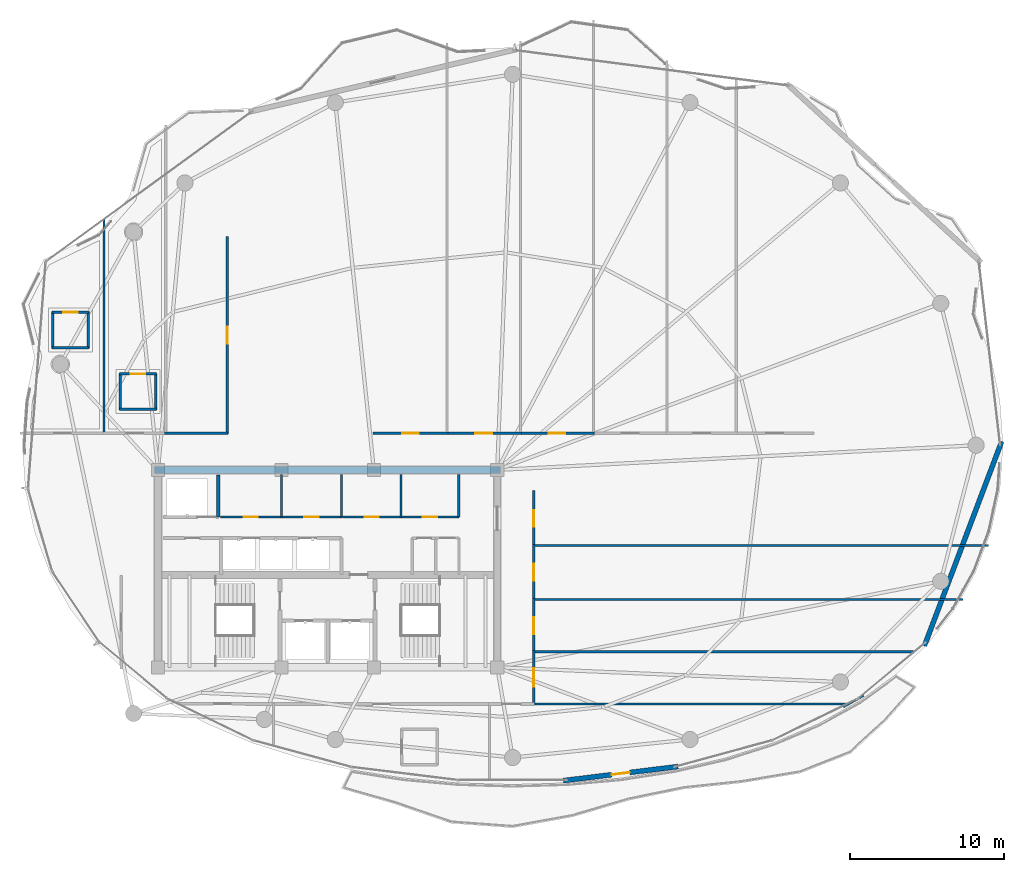
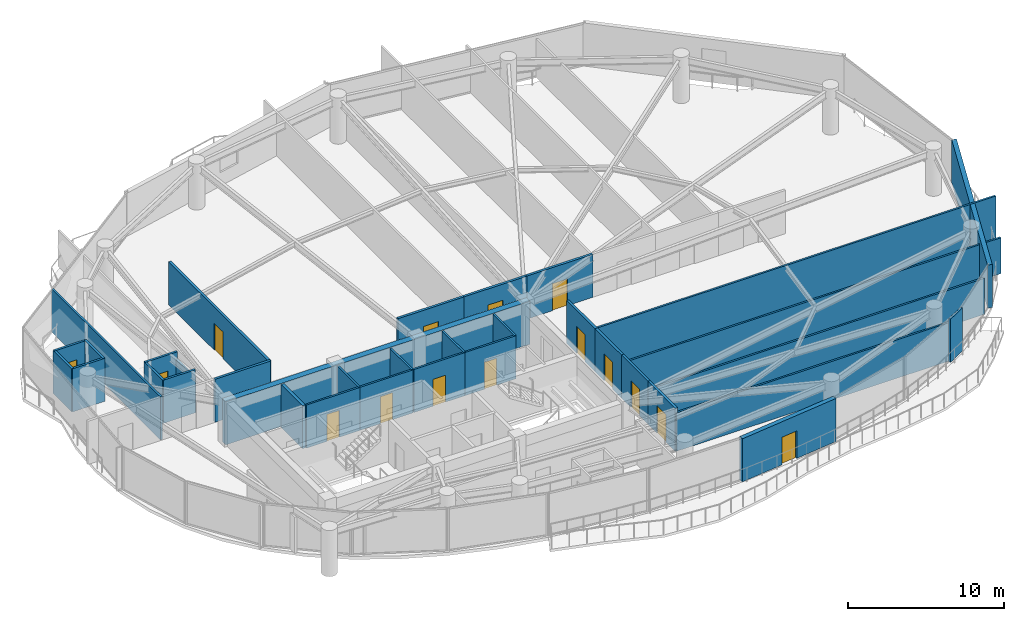
# One storey, part 26 of 31: 35 walls, 15 doors, 15 openings.
"""IFC4 building model written with IfcOpenShell, lengths in metres."""

from ifc_helpers import new_model, si_unit, direction, frame, frame_2d, origin, place, context, subcontext, project, spatial, rectangle, extrude, material, layer, layer_set, type_object, element, fill, save


model = new_model("IFC4")

# Units and contexts
model_context = context("Model", 3, precision=1e-05, world=origin(), true_north=direction((0.0, 1.0)))
body_context = subcontext(model_context, "Body", "Model", "MODEL_VIEW")
ifc_project = project(units=[si_unit("LENGTHUNIT", "METRE"), si_unit("AREAUNIT", "SQUARE_METRE"), si_unit("VOLUMEUNIT", "CUBIC_METRE"), si_unit("PLANEANGLEUNIT", "RADIAN"), si_unit("MASSUNIT", "GRAM", prefix="KILO")], contexts=[model_context])

# Site, building, storey
site_placement = place(None, origin())
site = spatial("IfcSite", under=ifc_project, at=site_placement, CompositionType="ELEMENT")
building_placement = place(site_placement, origin())
building = spatial("IfcBuilding", under=site, at=building_placement, Name="Kazevale Care Tower and Concert Hall", CompositionType="ELEMENT")
storey_placement = place(building_placement, frame((0.0, 0.0, 206.39990234375)))
storey = spatial("IfcBuildingStorey", under=building, at=storey_placement, Name="L54", CompositionType="ELEMENT", Elevation=206.39990234375)

# Wall, opening, door
ifc_material_1 = material(Name="Acoustic Gypsum on Steel Stud", Category="steel")
ifc_layer_1 = layer(ifc_material_1, 0.139892578125)
ifc_layer_set_1 = layer_set([ifc_layer_1], Name="Acoustic Gypsum on Steel Stud")
wall_type_1 = type_object("IfcWallType", Name="Acoustic Care & Suite Partition 140", PredefinedType="PARTITIONING", material=ifc_layer_set_1)
wall_1_placement = place(storey_placement, frame((26.050048828125, 33.35009765625, 0.0), z_axis=(0.0, 0.0, 1.0), x_axis=(1.0, 0.0, 0.0)))
wall_1 = element("IfcWall", 1, at=wall_1_placement, inside=storey, type_object=wall_type_1, Name="wall:L54:c_rpl1_s", PredefinedType="PARTITIONING", context=body_context, shape_type="SweptSolid", body=[
    extrude(rectangle(XDim=3.949951171875, YDim=0.139892578125, at=frame_2d((1.97509765625, 0.0))), origin(), (0.0, 0.0, 1.0), 3.360107421875),
])
opening_1_placement = place(wall_1_placement, frame((1.514892578125, 0.0, 0.0)))
opening_1 = element("IfcOpeningElement", 2, at=opening_1_placement, cuts=wall_1, Name="Opening ID-900", PredefinedType="OPENING", context=body_context, shape_type="SweptSolid", body=[
    extrude(rectangle(XDim=0.919921875, YDim=2.10009765625, at=frame_2d((0.4599609375, 1.050048828125))), frame((0.0, 0.079833984375, 0.0), z_axis=(0.0, -1.0, 0.0), x_axis=(1.0, 0.0, 0.0)), (0.0, 0.0, 1.0), 0.159912109375),
])
ifc_material_2 = material(Name="Oak Timber Fire Leaf", Category="wood")
door_type_1 = type_object("IfcDoorType", Name="Bathroom & Service Door 920x2100", OperationType="NOTDEFINED", PredefinedType="DOOR", material=ifc_material_2)
door_1_placement = place(opening_1_placement, origin())
door_1 = element("IfcDoor", 3, at=door_1_placement, inside=storey, type_object=door_type_1, Name="door:L54:d_rpl1", OperationType="SINGLE_SWING_LEFT", OverallHeight=2.10009765625, OverallWidth=0.919921875, PredefinedType="DOOR", context=body_context, shape_type="SweptSolid", body=[
    extrude(rectangle(XDim=0.919921875, YDim=2.10009765625, at=frame_2d((0.4599609375, 1.050048828125))), frame((0.0, 0.02490234375, 0.0), z_axis=(0.0, -1.0, 0.0), x_axis=(1.0, 0.0, 0.0)), (0.0, 0.0, 1.0), 0.050048828125),
])
fill(opening_1, door_1)

wall_2_placement = place(storey_placement, frame((30.0, 33.35009765625, 0.0), z_axis=(0.0, 0.0, 1.0), x_axis=(1.0, 0.0, 0.0)))
wall_2 = element("IfcWall", 4, at=wall_2_placement, inside=storey, type_object=wall_type_1, Name="wall:L54:c_rpl2_s", PredefinedType="PARTITIONING", context=body_context, shape_type="SweptSolid", body=[
    extrude(rectangle(XDim=3.919921875, YDim=0.139892578125, at=frame_2d((1.9599609375, 0.0))), origin(), (0.0, 0.0, 1.0), 3.360107421875),
])
opening_2_placement = place(wall_2_placement, frame((1.5, 0.0, 0.0)))
opening_2 = element("IfcOpeningElement", 5, at=opening_2_placement, cuts=wall_2, Name="Opening ID-900", PredefinedType="OPENING", context=body_context, shape_type="SweptSolid", body=[
    extrude(rectangle(XDim=0.919921875, YDim=2.10009765625, at=frame_2d((0.4599609375, 1.050048828125))), frame((0.0, 0.079833984375, 0.0), z_axis=(0.0, -1.0, 0.0), x_axis=(1.0, 0.0, 0.0)), (0.0, 0.0, 1.0), 0.159912109375),
])
door_2_placement = place(opening_2_placement, origin())
door_2 = element("IfcDoor", 6, at=door_2_placement, inside=storey, type_object=door_type_1, Name="door:L54:d_rpl2", OperationType="SINGLE_SWING_RIGHT", OverallHeight=2.10009765625, OverallWidth=0.919921875, PredefinedType="DOOR", context=body_context, shape_type="SweptSolid", body=[
    extrude(rectangle(XDim=0.919921875, YDim=2.10009765625, at=frame_2d((0.4599609375, 1.050048828125))), frame((0.0, 0.02490234375, 0.0), z_axis=(0.0, -1.0, 0.0), x_axis=(1.0, 0.0, 0.0)), (0.0, 0.0, 1.0), 0.050048828125),
])
fill(opening_2, door_2)

# Walls
for number, where, z_axis, x_axis, name in (
    (7, (30.0, 33.35009765625, 0.0), (0.0, 0.0, 1.0), (0.0, 1.0, 0.0), "wall:L54:c_rpl_m"),
    (8, (33.89990234375, 33.35009765625, 0.0), (0.0, 0.0, 1.0), (0.0, 1.0, 0.0), "wall:L54:c_rpl_e"),
):
    element("IfcWall", number, at=place(storey_placement, frame(where, z_axis=z_axis, x_axis=x_axis)), inside=storey, type_object=wall_type_1, Name=name, PredefinedType="PARTITIONING", context=body_context, shape_type="SweptSolid", body=[
        extrude(rectangle(XDim=2.75, YDim=0.139892578125, at=frame_2d((1.375, 0.0))), origin(), (0.0, 0.0, 1.0), 3.360107421875),
    ])

# Wall, opening, door
wall_3_placement = place(storey_placement, frame((33.97998046875, 33.35009765625, 0.0), z_axis=(0.0, 0.0, 1.0), x_axis=(1.0, 0.0, 0.0)))
wall_3 = element("IfcWall", 9, at=wall_3_placement, inside=storey, type_object=wall_type_1, Name="wall:L54:c_rpm1_s", PredefinedType="PARTITIONING", context=body_context, shape_type="SweptSolid", body=[
    extrude(rectangle(XDim=3.77001953125, YDim=0.139892578125, at=frame_2d((1.885009765625, 0.0))), origin(), (0.0, 0.0, 1.0), 3.360107421875),
])
opening_3_placement = place(wall_3_placement, frame((1.425048828125, 0.0, 0.0)))
opening_3 = element("IfcOpeningElement", 10, at=opening_3_placement, cuts=wall_3, Name="Opening ID-900", PredefinedType="OPENING", context=body_context, shape_type="SweptSolid", body=[
    extrude(rectangle(XDim=0.919921875, YDim=2.10009765625, at=frame_2d((0.4599609375, 1.050048828125))), frame((0.0, 0.079833984375, 0.0), z_axis=(0.0, -1.0, 0.0), x_axis=(1.0, 0.0, 0.0)), (0.0, 0.0, 1.0), 0.159912109375),
])
door_3_placement = place(opening_3_placement, origin())
door_3 = element("IfcDoor", 11, at=door_3_placement, inside=storey, type_object=door_type_1, Name="door:L54:d_rpm1", OperationType="SINGLE_SWING_LEFT", OverallHeight=2.10009765625, OverallWidth=0.919921875, PredefinedType="DOOR", context=body_context, shape_type="SweptSolid", body=[
    extrude(rectangle(XDim=0.919921875, YDim=2.10009765625, at=frame_2d((0.4599609375, 1.050048828125))), frame((0.0, 0.02490234375, 0.0), z_axis=(0.0, -1.0, 0.0), x_axis=(1.0, 0.0, 0.0)), (0.0, 0.0, 1.0), 0.050048828125),
])
fill(opening_3, door_3)

wall_4_placement = place(storey_placement, frame((37.75, 33.35009765625, 0.0), z_axis=(0.0, 0.0, 1.0), x_axis=(1.0, 0.0, 0.0)))
wall_4 = element("IfcWall", 12, at=wall_4_placement, inside=storey, type_object=wall_type_1, Name="wall:L54:c_rpm2_s", PredefinedType="PARTITIONING", context=body_context, shape_type="SweptSolid", body=[
    extrude(rectangle(XDim=3.77001953125, YDim=0.139892578125, at=frame_2d((1.885009765625, 0.0))), origin(), (0.0, 0.0, 1.0), 3.360107421875),
])
opening_4_placement = place(wall_4_placement, frame((1.425048828125, 0.0, 0.0)))
opening_4 = element("IfcOpeningElement", 13, at=opening_4_placement, cuts=wall_4, Name="Opening ID-900", PredefinedType="OPENING", context=body_context, shape_type="SweptSolid", body=[
    extrude(rectangle(XDim=0.919921875, YDim=2.10009765625, at=frame_2d((0.4599609375, 1.050048828125))), frame((0.0, 0.079833984375, 0.0), z_axis=(0.0, -1.0, 0.0), x_axis=(1.0, 0.0, 0.0)), (0.0, 0.0, 1.0), 0.159912109375),
])
door_4_placement = place(opening_4_placement, origin())
door_4 = element("IfcDoor", 14, at=door_4_placement, inside=storey, type_object=door_type_1, Name="door:L54:d_rpm2", OperationType="SINGLE_SWING_RIGHT", OverallHeight=2.10009765625, OverallWidth=0.919921875, PredefinedType="DOOR", context=body_context, shape_type="SweptSolid", body=[
    extrude(rectangle(XDim=0.919921875, YDim=2.10009765625, at=frame_2d((0.4599609375, 1.050048828125))), frame((0.0, 0.02490234375, 0.0), z_axis=(0.0, -1.0, 0.0), x_axis=(1.0, 0.0, 0.0)), (0.0, 0.0, 1.0), 0.050048828125),
])
fill(opening_4, door_4)

# Walls
for number, where, z_axis, x_axis, name in (
    (15, (37.75, 33.35009765625, 0.0), (0.0, 0.0, 1.0), (0.0, 1.0, 0.0), "wall:L54:c_rpm_m"),
    (16, (41.5, 33.35009765625, 0.0), (0.0, 0.0, 1.0), (0.0, 1.0, 0.0), "wall:L54:c_rpm_e"),
):
    element("IfcWall", number, at=place(storey_placement, frame(where, z_axis=z_axis, x_axis=x_axis)), inside=storey, type_object=wall_type_1, Name=name, PredefinedType="PARTITIONING", context=body_context, shape_type="SweptSolid", body=[
        extrude(rectangle(XDim=2.75, YDim=0.139892578125, at=frame_2d((1.375, 0.0))), origin(), (0.0, 0.0, 1.0), 3.360107421875),
    ])
wall_5_placement = place(storey_placement, frame((18.5, 52.64501953125, 0.0), z_axis=(0.0, 0.0, 1.0), x_axis=(0.0, -1.0, 0.0)))
element("IfcWall", 17, at=wall_5_placement, inside=storey, type_object=wall_type_1, Name="wall:L54:auto_019", PredefinedType="PARTITIONING", context=body_context, shape_type="SweptSolid", body=[
    extrude(rectangle(XDim=13.89990234375, YDim=0.139892578125, at=frame_2d((6.949951171875, 0.0))), origin(), (0.0, 0.0, 1.0), 3.360107421875),
])
wall_6_placement = place(storey_placement, frame((46.344970703125, 24.610107421875, 0.0), z_axis=(0.0, 0.0, 1.0), x_axis=(1.0, 0.0, 0.0)))
element("IfcWall", 18, at=wall_6_placement, inside=storey, type_object=wall_type_1, Name="wall:L54:auto_026", PredefinedType="PARTITIONING", context=body_context, shape_type="SweptSolid", body=[
    extrude(rectangle(XDim=24.692626953125, YDim=0.139892578125, at=frame_2d((12.34619140625, 0.0))), origin(), (0.0, 0.0, 1.0), 2.80615234375),
])
wall_7_placement = place(storey_placement, frame((66.683837890625, 21.22509765625, 0.0), z_axis=(0.0, 0.0, 1.0), x_axis=(-1.0, 0.0, 0.0)))
element("IfcWall", 19, at=wall_7_placement, inside=storey, type_object=wall_type_1, Name="wall:L54:auto_027", PredefinedType="PARTITIONING", context=body_context, shape_type="SweptSolid", body=[
    extrude(rectangle(XDim=20.3388671875, YDim=0.139892578125, at=frame_2d((10.16943359375, 0.0))), origin(), (0.0, 0.0, 1.0), 2.99609375),
])
wall_8_placement = place(storey_placement, frame((67.748046875, 21.77001953125, 0.0), z_axis=(0.0, 0.0, 1.0), x_axis=(-0.871352238731, -0.490658003153, 0.0)))
element("IfcWall", 20, at=wall_8_placement, inside=storey, type_object=wall_type_1, Name="wall:L54:auto_028", PredefinedType="PARTITIONING", context=body_context, shape_type="SweptSolid", body=[
    extrude(rectangle(XDim=1.48974609375, YDim=0.139892578125, at=frame_2d((0.744873046875, 0.0))), origin(), (0.0, 0.0, 1.0), 3.360107421875),
])
wall_9_placement = place(storey_placement, frame((46.344970703125, 28.0, 0.0), z_axis=(0.0, 0.0, 1.0), x_axis=(1.0, 0.0, 0.0)))
element("IfcWall", 21, at=wall_9_placement, inside=storey, type_object=wall_type_1, Name="wall:L54:auto_029", PredefinedType="PARTITIONING", context=body_context, shape_type="SweptSolid", body=[
    extrude(rectangle(XDim=27.863037109375, YDim=0.139892578125, at=frame_2d((13.931640625, 0.0))), origin(), (0.0, 0.0, 1.0), 2.80615234375),
])
wall_10_placement = place(storey_placement, frame((46.344970703125, 31.5, 0.0), z_axis=(0.0, 0.0, 1.0), x_axis=(1.0, 0.0, 0.0)))
element("IfcWall", 22, at=wall_10_placement, inside=storey, type_object=wall_type_1, Name="wall:L54:auto_030", PredefinedType="PARTITIONING", context=body_context, shape_type="SweptSolid", body=[
    extrude(rectangle(XDim=29.52001953125, YDim=0.139892578125, at=frame_2d((14.760009765625, 0.0))), origin(), (0.0, 0.0, 1.0), 3.360107421875),
])
ifc_material_3 = material(Name="Concrete C50", Category="concrete")
ifc_layer_2 = layer(ifc_material_3, 0.449951171875)
ifc_layer_set_2 = layer_set([ifc_layer_2], Name="Concrete C50")
wall_type_2 = type_object("IfcWallType", Name="Core Shear Wall 450 C50", PredefinedType="SHEAR", material=ifc_layer_set_2)
wall_11_placement = place(storey_placement, frame((21.77490234375, 36.39990234375, 0.0), z_axis=(0.0, 0.0, 1.0), x_axis=(1.0, 0.0, 0.0)))
element("IfcWall", 23, at=wall_11_placement, inside=storey, type_object=wall_type_2, Name="wall:L54:core:N", PredefinedType="SHEAR", context=body_context, shape_type="SweptSolid", body=[
    extrude(rectangle(XDim=22.4501953125, YDim=0.449951171875, at=frame_2d((11.22509765625, 0.0))), origin(), (0.0, 0.0, 1.0), 3.360107421875),
])
ifc_material_4 = material(Name="Concrete C40", Category="concrete")
ifc_layer_3 = layer(ifc_material_4, 0.219970703125)
ifc_layer_set_3 = layer_set([ifc_layer_3], Name="Concrete C40")
wall_type_3 = type_object("IfcWallType", Name="Elevator Hoistway Shaft Wall 220", PredefinedType="SOLIDWALL", material=ifc_layer_set_3)
wall_12_placement = place(storey_placement, frame((25.919921875, 33.35009765625, 0.0), z_axis=(0.0, 0.0, 1.0), x_axis=(0.0, 1.0, 0.0)))
element("IfcWall", 24, at=wall_12_placement, inside=storey, type_object=wall_type_3, Name="wall:L54:c_svl_e", PredefinedType="SOLIDWALL", context=body_context, shape_type="SweptSolid", body=[
    extrude(rectangle(XDim=2.72998046875, YDim=0.219970703125, at=frame_2d((1.364990234375, 0.0))), origin(), (0.0, 0.0, 1.0), 3.360107421875),
])

# Wall, opening, door
ifc_material_5 = material(Name="Concrete C40 and Acoustic Gypsum", Category="concrete")
ifc_layer_4 = layer(ifc_material_5, 0.179931640625)
ifc_layer_set_4 = layer_set([ifc_layer_4], Name="Concrete C40 and Acoustic Gypsum")
wall_type_4 = type_object("IfcWallType", Name="Fire-Rated Corridor & Party Wall 180", PredefinedType="PARTITIONING", material=ifc_layer_set_4)
wall_13_placement = place(storey_placement, frame((26.5, 38.7451171875, 0.0), z_axis=(0.0, 0.0, 1.0), x_axis=(0.0, 1.0, 0.0)))
wall_13 = element("IfcWall", 25, at=wall_13_placement, inside=storey, type_object=wall_type_4, Name="wall:L54:auto_003", PredefinedType="PARTITIONING", context=body_context, shape_type="SweptSolid", body=[
    extrude(rectangle(XDim=12.784912109375, YDim=0.179931640625, at=frame_2d((6.392578125, 0.0))), origin(), (0.0, 0.0, 1.0), 3.360107421875),
])
opening_5_placement = place(wall_13_placement, frame((5.843017578125, 0.0, 0.0)))
opening_5 = element("IfcOpeningElement", 26, at=opening_5_placement, cuts=wall_13, Name="Opening ID-1100", PredefinedType="OPENING", context=body_context, shape_type="SweptSolid", body=[
    extrude(rectangle(XDim=1.10009765625, YDim=2.10009765625, at=frame_2d((0.550048828125, 1.050048828125))), frame((0.0, 0.099853515625, 0.0), z_axis=(0.0, -1.0, 0.0), x_axis=(1.0, 0.0, 0.0)), (0.0, 0.0, 1.0), 0.199951171875),
])
door_type_2 = type_object("IfcDoorType", Name="Care Bedroom Accessible Door 1100x2100", OperationType="NOTDEFINED", PredefinedType="DOOR", material=ifc_material_2)
door_5_placement = place(opening_5_placement, origin())
door_5 = element("IfcDoor", 27, at=door_5_placement, inside=storey, type_object=door_type_2, Name="door:L54:ad_003", OperationType="SINGLE_SWING_LEFT", OverallHeight=2.10009765625, OverallWidth=1.10009765625, PredefinedType="DOOR", context=body_context, shape_type="SweptSolid", body=[
    extrude(rectangle(XDim=1.10009765625, YDim=2.10009765625, at=frame_2d((0.550048828125, 1.050048828125))), frame((0.0, 0.02490234375, 0.0), z_axis=(0.0, -1.0, 0.0), x_axis=(1.0, 0.0, 0.0)), (0.0, 0.0, 1.0), 0.050048828125),
])
fill(opening_5, door_5)

# Wall
wall_14_placement = place(storey_placement, frame((22.43505859375, 38.77490234375, 0.0), z_axis=(0.0, 0.0, 1.0), x_axis=(1.0, 0.0, 0.0)))
element("IfcWall", 28, at=wall_14_placement, inside=storey, type_object=wall_type_4, Name="wall:L54:auto_004", PredefinedType="PARTITIONING", context=body_context, shape_type="SweptSolid", body=[
    extrude(rectangle(XDim=4.094970703125, YDim=0.179931640625, at=frame_2d((2.04736328125, 0.0))), origin(), (0.0, 0.0, 1.0), 3.360107421875),
])

# Wall, opening, door
wall_15_placement = place(storey_placement, frame((35.93505859375, 38.77490234375, 0.0), z_axis=(0.0, 0.0, 1.0), x_axis=(1.0, 0.0, 0.0)))
wall_15 = element("IfcWall", 29, at=wall_15_placement, inside=storey, type_object=wall_type_4, Name="wall:L54:auto_005", PredefinedType="PARTITIONING", context=body_context, shape_type="SweptSolid", body=[
    extrude(rectangle(XDim=4.8798828125, YDim=0.179931640625, at=frame_2d((2.43994140625, 0.0))), origin(), (0.0, 0.0, 1.0), 3.360107421875),
])
opening_6_placement = place(wall_15_placement, frame((1.889892578125, 0.0, 0.0)))
opening_6 = element("IfcOpeningElement", 30, at=opening_6_placement, cuts=wall_15, Name="Opening ID-1100", PredefinedType="OPENING", context=body_context, shape_type="SweptSolid", body=[
    extrude(rectangle(XDim=1.10009765625, YDim=2.10009765625, at=frame_2d((0.550048828125, 1.050048828125))), frame((0.0, 0.099853515625, 0.0), z_axis=(0.0, -1.0, 0.0), x_axis=(1.0, 0.0, 0.0)), (0.0, 0.0, 1.0), 0.199951171875),
])
door_6_placement = place(opening_6_placement, origin())
door_6 = element("IfcDoor", 31, at=door_6_placement, inside=storey, type_object=door_type_2, Name="door:L54:ad_005", OperationType="SINGLE_SWING_LEFT", OverallHeight=2.10009765625, OverallWidth=1.10009765625, PredefinedType="DOOR", context=body_context, shape_type="SweptSolid", body=[
    extrude(rectangle(XDim=1.10009765625, YDim=2.10009765625, at=frame_2d((0.550048828125, 1.050048828125))), frame((0.0, 0.02490234375, 0.0), z_axis=(0.0, -1.0, 0.0), x_axis=(1.0, 0.0, 0.0)), (0.0, 0.0, 1.0), 0.050048828125),
])
fill(opening_6, door_6)

wall_16_placement = place(storey_placement, frame((40.68505859375, 38.77490234375, 0.0), z_axis=(0.0, 0.0, 1.0), x_axis=(1.0, 0.0, 0.0)))
wall_16 = element("IfcWall", 32, at=wall_16_placement, inside=storey, type_object=wall_type_4, Name="wall:L54:auto_006", PredefinedType="PARTITIONING", context=body_context, shape_type="SweptSolid", body=[
    extrude(rectangle(XDim=4.8798828125, YDim=0.179931640625, at=frame_2d((2.43994140625, 0.0))), origin(), (0.0, 0.0, 1.0), 3.360107421875),
])
opening_7_placement = place(wall_16_placement, frame((1.889892578125, 0.0, 0.0)))
opening_7 = element("IfcOpeningElement", 33, at=opening_7_placement, cuts=wall_16, Name="Opening ID-1100", PredefinedType="OPENING", context=body_context, shape_type="SweptSolid", body=[
    extrude(rectangle(XDim=1.10009765625, YDim=2.10009765625, at=frame_2d((0.550048828125, 1.050048828125))), frame((0.0, 0.099853515625, 0.0), z_axis=(0.0, -1.0, 0.0), x_axis=(1.0, 0.0, 0.0)), (0.0, 0.0, 1.0), 0.199951171875),
])
door_7_placement = place(opening_7_placement, origin())
door_7 = element("IfcDoor", 34, at=door_7_placement, inside=storey, type_object=door_type_2, Name="door:L54:ad_006", OperationType="SINGLE_SWING_LEFT", OverallHeight=2.10009765625, OverallWidth=1.10009765625, PredefinedType="DOOR", context=body_context, shape_type="SweptSolid", body=[
    extrude(rectangle(XDim=1.10009765625, YDim=2.10009765625, at=frame_2d((0.550048828125, 1.050048828125))), frame((0.0, 0.02490234375, 0.0), z_axis=(0.0, -1.0, 0.0), x_axis=(1.0, 0.0, 0.0)), (0.0, 0.0, 1.0), 0.050048828125),
])
fill(opening_7, door_7)

wall_17_placement = place(storey_placement, frame((45.43505859375, 38.77490234375, 0.0), z_axis=(0.0, 0.0, 1.0), x_axis=(1.0, 0.0, 0.0)))
wall_17 = element("IfcWall", 35, at=wall_17_placement, inside=storey, type_object=wall_type_4, Name="wall:L54:auto_007", PredefinedType="PARTITIONING", context=body_context, shape_type="SweptSolid", body=[
    extrude(rectangle(XDim=4.8798828125, YDim=0.179931640625, at=frame_2d((2.43994140625, 0.0))), origin(), (0.0, 0.0, 1.0), 3.360107421875),
])
opening_8_placement = place(wall_17_placement, frame((1.889892578125, 0.0, 0.0)))
opening_8 = element("IfcOpeningElement", 36, at=opening_8_placement, cuts=wall_17, Name="Opening ID-1100", PredefinedType="OPENING", context=body_context, shape_type="SweptSolid", body=[
    extrude(rectangle(XDim=1.10009765625, YDim=2.10009765625, at=frame_2d((0.550048828125, 1.050048828125))), frame((0.0, 0.099853515625, 0.0), z_axis=(0.0, -1.0, 0.0), x_axis=(1.0, 0.0, 0.0)), (0.0, 0.0, 1.0), 0.199951171875),
])
door_8_placement = place(opening_8_placement, origin())
door_8 = element("IfcDoor", 37, at=door_8_placement, inside=storey, type_object=door_type_2, Name="door:L54:ad_007", OperationType="SINGLE_SWING_LEFT", OverallHeight=2.10009765625, OverallWidth=1.10009765625, PredefinedType="DOOR", context=body_context, shape_type="SweptSolid", body=[
    extrude(rectangle(XDim=1.10009765625, YDim=2.10009765625, at=frame_2d((0.550048828125, 1.050048828125))), frame((0.0, 0.02490234375, 0.0), z_axis=(0.0, -1.0, 0.0), x_axis=(1.0, 0.0, 0.0)), (0.0, 0.0, 1.0), 0.050048828125),
])
fill(opening_8, door_8)

wall_18_placement = place(storey_placement, frame((46.375, 24.675048828125, 0.0), z_axis=(0.0, 0.0, 1.0), x_axis=(0.0, -1.0, 0.0)))
wall_18 = element("IfcWall", 38, at=wall_18_placement, inside=storey, type_object=wall_type_4, Name="wall:L54:auto_011", PredefinedType="PARTITIONING", context=body_context, shape_type="SweptSolid", body=[
    extrude(rectangle(XDim=3.47998046875, YDim=0.179931640625, at=frame_2d((1.739990234375, 0.0))), origin(), (0.0, 0.0, 1.0), 3.360107421875),
])
opening_9_placement = place(wall_18_placement, frame((1.139892578125, 0.0, 0.0)))
opening_9 = element("IfcOpeningElement", 39, at=opening_9_placement, cuts=wall_18, Name="Opening ID-1200", PredefinedType="OPENING", context=body_context, shape_type="SweptSolid", body=[
    extrude(rectangle(XDim=1.199951171875, YDim=2.14990234375, at=frame_2d((0.60009765625, 1.074951171875))), frame((0.0, 0.099853515625, 0.0), z_axis=(0.0, -1.0, 0.0), x_axis=(1.0, 0.0, 0.0)), (0.0, 0.0, 1.0), 0.199951171875),
])
door_type_3 = type_object("IfcDoorType", Name="Clinical & Therapy Door 1200x2150", OperationType="NOTDEFINED", PredefinedType="DOOR", material=ifc_material_2)
door_9_placement = place(opening_9_placement, origin())
door_9 = element("IfcDoor", 40, at=door_9_placement, inside=storey, type_object=door_type_3, Name="door:L54:ad_011", OperationType="SINGLE_SWING_LEFT", OverallHeight=2.14990234375, OverallWidth=1.199951171875, PredefinedType="DOOR", context=body_context, shape_type="SweptSolid", body=[
    extrude(rectangle(XDim=1.199951171875, YDim=2.14990234375, at=frame_2d((0.60009765625, 1.074951171875))), frame((0.0, 0.02490234375, 0.0), z_axis=(0.0, -1.0, 0.0), x_axis=(1.0, 0.0, 0.0)), (0.0, 0.0, 1.0), 0.050048828125),
])
fill(opening_9, door_9)

wall_19_placement = place(storey_placement, frame((46.375, 28.06494140625, 0.0), z_axis=(0.0, 0.0, 1.0), x_axis=(0.0, -1.0, 0.0)))
wall_19 = element("IfcWall", 41, at=wall_19_placement, inside=storey, type_object=wall_type_4, Name="wall:L54:auto_012", PredefinedType="PARTITIONING", context=body_context, shape_type="SweptSolid", body=[
    extrude(rectangle(XDim=3.52001953125, YDim=0.179931640625, at=frame_2d((1.760009765625, 0.0))), origin(), (0.0, 0.0, 1.0), 3.360107421875),
])
opening_10_placement = place(wall_19_placement, frame((1.2099609375, 0.0, 0.0)))
opening_10 = element("IfcOpeningElement", 42, at=opening_10_placement, cuts=wall_19, Name="Opening ID-1100", PredefinedType="OPENING", context=body_context, shape_type="SweptSolid", body=[
    extrude(rectangle(XDim=1.10009765625, YDim=2.10009765625, at=frame_2d((0.550048828125, 1.050048828125))), frame((0.0, 0.099853515625, 0.0), z_axis=(0.0, -1.0, 0.0), x_axis=(1.0, 0.0, 0.0)), (0.0, 0.0, 1.0), 0.199951171875),
])
door_10_placement = place(opening_10_placement, origin())
door_10 = element("IfcDoor", 43, at=door_10_placement, inside=storey, type_object=door_type_2, Name="door:L54:ad_012", OperationType="SINGLE_SWING_LEFT", OverallHeight=2.10009765625, OverallWidth=1.10009765625, PredefinedType="DOOR", context=body_context, shape_type="SweptSolid", body=[
    extrude(rectangle(XDim=1.10009765625, YDim=2.10009765625, at=frame_2d((0.550048828125, 1.050048828125))), frame((0.0, 0.02490234375, 0.0), z_axis=(0.0, -1.0, 0.0), x_axis=(1.0, 0.0, 0.0)), (0.0, 0.0, 1.0), 0.050048828125),
])
fill(opening_10, door_10)

wall_20_placement = place(storey_placement, frame((46.375, 31.56494140625, 0.0), z_axis=(0.0, 0.0, 1.0), x_axis=(0.0, -1.0, 0.0)))
wall_20 = element("IfcWall", 44, at=wall_20_placement, inside=storey, type_object=wall_type_4, Name="wall:L54:auto_013", PredefinedType="PARTITIONING", context=body_context, shape_type="SweptSolid", body=[
    extrude(rectangle(XDim=3.6298828125, YDim=0.179931640625, at=frame_2d((1.81494140625, 0.0))), origin(), (0.0, 0.0, 1.0), 3.360107421875),
])
opening_11_placement = place(wall_20_placement, frame((1.264892578125, 0.0, 0.0)))
opening_11 = element("IfcOpeningElement", 45, at=opening_11_placement, cuts=wall_20, Name="Opening ID-1100", PredefinedType="OPENING", context=body_context, shape_type="SweptSolid", body=[
    extrude(rectangle(XDim=1.10009765625, YDim=2.10009765625, at=frame_2d((0.550048828125, 1.050048828125))), frame((0.0, 0.099853515625, 0.0), z_axis=(0.0, -1.0, 0.0), x_axis=(1.0, 0.0, 0.0)), (0.0, 0.0, 1.0), 0.199951171875),
])
door_11_placement = place(opening_11_placement, origin())
door_11 = element("IfcDoor", 46, at=door_11_placement, inside=storey, type_object=door_type_2, Name="door:L54:ad_013", OperationType="SINGLE_SWING_LEFT", OverallHeight=2.10009765625, OverallWidth=1.10009765625, PredefinedType="DOOR", context=body_context, shape_type="SweptSolid", body=[
    extrude(rectangle(XDim=1.10009765625, YDim=2.10009765625, at=frame_2d((0.550048828125, 1.050048828125))), frame((0.0, 0.02490234375, 0.0), z_axis=(0.0, -1.0, 0.0), x_axis=(1.0, 0.0, 0.0)), (0.0, 0.0, 1.0), 0.050048828125),
])
fill(opening_11, door_11)

wall_21_placement = place(storey_placement, frame((46.375, 35.06494140625, 0.0), z_axis=(0.0, 0.0, 1.0), x_axis=(0.0, -1.0, 0.0)))
wall_21 = element("IfcWall", 47, at=wall_21_placement, inside=storey, type_object=wall_type_4, Name="wall:L54:auto_014", PredefinedType="PARTITIONING", context=body_context, shape_type="SweptSolid", body=[
    extrude(rectangle(XDim=3.6298828125, YDim=0.179931640625, at=frame_2d((1.81494140625, 0.0))), origin(), (0.0, 0.0, 1.0), 3.360107421875),
])
opening_12_placement = place(wall_21_placement, frame((1.264892578125, 0.0, 0.0)))
opening_12 = element("IfcOpeningElement", 48, at=opening_12_placement, cuts=wall_21, Name="Opening ID-1100", PredefinedType="OPENING", context=body_context, shape_type="SweptSolid", body=[
    extrude(rectangle(XDim=1.10009765625, YDim=2.10009765625, at=frame_2d((0.550048828125, 1.050048828125))), frame((0.0, 0.099853515625, 0.0), z_axis=(0.0, -1.0, 0.0), x_axis=(1.0, 0.0, 0.0)), (0.0, 0.0, 1.0), 0.199951171875),
])
door_12_placement = place(opening_12_placement, origin())
door_12 = element("IfcDoor", 49, at=door_12_placement, inside=storey, type_object=door_type_2, Name="door:L54:ad_014", OperationType="SINGLE_SWING_LEFT", OverallHeight=2.10009765625, OverallWidth=1.10009765625, PredefinedType="DOOR", context=body_context, shape_type="SweptSolid", body=[
    extrude(rectangle(XDim=1.10009765625, YDim=2.10009765625, at=frame_2d((0.550048828125, 1.050048828125))), frame((0.0, 0.02490234375, 0.0), z_axis=(0.0, -1.0, 0.0), x_axis=(1.0, 0.0, 0.0)), (0.0, 0.0, 1.0), 0.050048828125),
])
fill(opening_12, door_12)

# Wall
ifc_layer_5 = layer(ifc_material_1, 0.159912109375)
ifc_layer_set_5 = layer_set([ifc_layer_5], Name="Acoustic Gypsum on Steel Stud")
wall_type_5 = type_object("IfcWallType", Name="Moisture-Resistant Bathroom Plumbing Wall 160", PredefinedType="PLUMBINGWALL", material=ifc_layer_set_5)
wall_22_placement = place(storey_placement, frame((15.1279296875, 44.324951171875, 0.0), z_axis=(0.0, 0.0, 1.0), x_axis=(1.0, 0.0, 0.0)))
element("IfcWall", 50, at=wall_22_placement, inside=storey, type_object=wall_type_5, Name="wall:L54:nb1_ens_ws", PredefinedType="PLUMBINGWALL", context=body_context, shape_type="SweptSolid", body=[
    extrude(rectangle(XDim=2.380126953125, YDim=0.159912109375, at=frame_2d((1.18994140625, 0.0))), origin(), (0.0, 0.0, 1.0), 3.360107421875),
])

# Wall, opening, door
wall_23_placement = place(storey_placement, frame((15.1279296875, 46.625, 0.0), z_axis=(0.0, 0.0, 1.0), x_axis=(1.0, 0.0, 0.0)))
wall_23 = element("IfcWall", 51, at=wall_23_placement, inside=storey, type_object=wall_type_5, Name="wall:L54:nb1_ens_wn", PredefinedType="PLUMBINGWALL", context=body_context, shape_type="SweptSolid", body=[
    extrude(rectangle(XDim=2.380126953125, YDim=0.159912109375, at=frame_2d((1.18994140625, 0.0))), origin(), (0.0, 0.0, 1.0), 3.360107421875),
])
opening_13_placement = place(wall_23_placement, frame((0.739990234375, 0.0, 0.0)))
opening_13 = element("IfcOpeningElement", 52, at=opening_13_placement, cuts=wall_23, Name="Opening ID-900", PredefinedType="OPENING", context=body_context, shape_type="SweptSolid", body=[
    extrude(rectangle(XDim=0.919921875, YDim=2.10009765625, at=frame_2d((0.4599609375, 1.050048828125))), frame((0.0, 0.08984375, 0.0), z_axis=(0.0, -1.0, 0.0), x_axis=(1.0, 0.0, 0.0)), (0.0, 0.0, 1.0), 0.179931640625),
])
door_13_placement = place(opening_13_placement, origin())
door_13 = element("IfcDoor", 53, at=door_13_placement, inside=storey, type_object=door_type_1, Name="door:L54:nb1_ens_d", OperationType="SINGLE_SWING_LEFT", OverallHeight=2.10009765625, OverallWidth=0.919921875, PredefinedType="DOOR", context=body_context, shape_type="SweptSolid", body=[
    extrude(rectangle(XDim=0.919921875, YDim=2.10009765625, at=frame_2d((0.4599609375, 1.050048828125))), frame((0.0, 0.02490234375, 0.0), z_axis=(0.0, -1.0, 0.0), x_axis=(1.0, 0.0, 0.0)), (0.0, 0.0, 1.0), 0.050048828125),
])
fill(opening_13, door_13)

# Walls
for number, where, z_axis, x_axis, name in (
    (54, (15.16796875, 44.284912109375, 0.0), (0.0, 0.0, 1.0), (0.0, 1.0, 0.0), "wall:L54:nb1_ens_ww"),
    (55, (17.468017578125, 44.284912109375, 0.0), (0.0, 0.0, 1.0), (0.0, 1.0, 0.0), "wall:L54:nb1_ens_we"),
):
    element("IfcWall", number, at=place(storey_placement, frame(where, z_axis=z_axis, x_axis=x_axis)), inside=storey, type_object=wall_type_5, Name=name, PredefinedType="PLUMBINGWALL", context=body_context, shape_type="SweptSolid", body=[
        extrude(rectangle(XDim=2.380126953125, YDim=0.159912109375, at=frame_2d((1.18994140625, 0.0))), origin(), (0.0, 0.0, 1.0), 3.360107421875),
    ])
wall_24_placement = place(storey_placement, frame((19.510009765625, 40.324951171875, 0.0), z_axis=(0.0, 0.0, 1.0), x_axis=(1.0, 0.0, 0.0)))
element("IfcWall", 56, at=wall_24_placement, inside=storey, type_object=wall_type_5, Name="wall:L54:nb2a_ens_ws", PredefinedType="PLUMBINGWALL", context=body_context, shape_type="SweptSolid", body=[
    extrude(rectangle(XDim=2.3798828125, YDim=0.159912109375, at=frame_2d((1.18994140625, 0.0))), origin(), (0.0, 0.0, 1.0), 3.360107421875),
])

# Wall, opening, door
wall_25_placement = place(storey_placement, frame((19.510009765625, 42.625, 0.0), z_axis=(0.0, 0.0, 1.0), x_axis=(1.0, 0.0, 0.0)))
wall_25 = element("IfcWall", 57, at=wall_25_placement, inside=storey, type_object=wall_type_5, Name="wall:L54:nb2a_ens_wn", PredefinedType="PLUMBINGWALL", context=body_context, shape_type="SweptSolid", body=[
    extrude(rectangle(XDim=2.3798828125, YDim=0.159912109375, at=frame_2d((1.18994140625, 0.0))), origin(), (0.0, 0.0, 1.0), 3.360107421875),
])
opening_14_placement = place(wall_25_placement, frame((0.739990234375, 0.0, 0.0)))
opening_14 = element("IfcOpeningElement", 58, at=opening_14_placement, cuts=wall_25, Name="Opening ID-900", PredefinedType="OPENING", context=body_context, shape_type="SweptSolid", body=[
    extrude(rectangle(XDim=0.919921875, YDim=2.10009765625, at=frame_2d((0.4599609375, 1.050048828125))), frame((0.0, 0.08984375, 0.0), z_axis=(0.0, -1.0, 0.0), x_axis=(1.0, 0.0, 0.0)), (0.0, 0.0, 1.0), 0.179931640625),
])
door_14_placement = place(opening_14_placement, origin())
door_14 = element("IfcDoor", 59, at=door_14_placement, inside=storey, type_object=door_type_1, Name="door:L54:nb2a_ens_d", OperationType="SINGLE_SWING_RIGHT", OverallHeight=2.10009765625, OverallWidth=0.919921875, PredefinedType="DOOR", context=body_context, shape_type="SweptSolid", body=[
    extrude(rectangle(XDim=0.919921875, YDim=2.10009765625, at=frame_2d((0.4599609375, 1.050048828125))), frame((0.0, 0.02490234375, 0.0), z_axis=(0.0, -1.0, 0.0), x_axis=(1.0, 0.0, 0.0)), (0.0, 0.0, 1.0), 0.050048828125),
])
fill(opening_14, door_14)

# Walls
wall_26_placement = place(storey_placement, frame((19.550048828125, 40.284912109375, 0.0), z_axis=(0.0, 0.0, 1.0), x_axis=(0.0, 1.0, 0.0)))
element("IfcWall", 60, at=wall_26_placement, inside=storey, type_object=wall_type_5, Name="wall:L54:nb2a_ens_ww", PredefinedType="PLUMBINGWALL", context=body_context, shape_type="SweptSolid", body=[
    extrude(rectangle(XDim=2.380126953125, YDim=0.159912109375, at=frame_2d((1.18994140625, 0.0))), origin(), (0.0, 0.0, 1.0), 3.360107421875),
])
wall_27_placement = place(storey_placement, frame((21.85009765625, 40.284912109375, 0.0), z_axis=(0.0, 0.0, 1.0), x_axis=(0.0, 1.0, 0.0)))
element("IfcWall", 61, at=wall_27_placement, inside=storey, type_object=wall_type_5, Name="wall:L54:nb2a_ens_we", PredefinedType="PLUMBINGWALL", context=body_context, shape_type="SweptSolid", body=[
    extrude(rectangle(XDim=2.380126953125, YDim=0.159912109375, at=frame_2d((1.18994140625, 0.0))), origin(), (0.0, 0.0, 1.0), 2.80615234375),
])
ifc_material_6 = material(Name="Concrete C40 with Honed Limestone Cladding", Category="masonry")
ifc_layer_6 = layer(ifc_material_6, 0.320068359375)
ifc_layer_set_6 = layer_set([ifc_layer_6], Name="Concrete C40 with Honed Limestone Cladding")
wall_type_6 = type_object("IfcWallType", Name="Tower Honed Limestone Spandrel Wall 320", PredefinedType="STANDARD", material=ifc_layer_set_6)
wall_28_placement = place(storey_placement, frame((76.7119140625, 38.242919921875, 0.0), z_axis=(0.0, 0.0, 1.0), x_axis=(-0.353659523244, -0.935374225441, 0.0)))
element("IfcWall", 62, at=wall_28_placement, inside=storey, type_object=wall_type_6, Name="wall:cw:L54:f01", PredefinedType="STANDARD", context=body_context, shape_type="SweptSolid", body=[
    extrude(rectangle(XDim=14.171630859375, YDim=0.320068359375, at=frame_2d((7.0859375, 0.0))), origin(), (0.0, 0.0, 1.0), 3.360107421875),
])

# Wall, opening, door
wall_29_placement = place(storey_placement, frame((55.72705078125, 17.1650390625, 0.0), z_axis=(0.0, 0.0, 1.0), x_axis=(-0.992559081031, -0.121763995755, 0.0)))
wall_29 = element("IfcWall", 63, at=wall_29_placement, inside=storey, type_object=wall_type_6, Name="wall:L54:bal_host", PredefinedType="STANDARD", context=body_context, shape_type="SweptSolid", body=[
    extrude(rectangle(XDim=7.49072265625, YDim=0.320068359375, at=frame_2d((3.745361328125, 0.0))), origin(), (0.0, 0.0, 1.0), 3.360107421875),
])
opening_15_placement = place(wall_29_placement, frame((3.14501953125, 0.0, 0.0)))
opening_15 = element("IfcOpeningElement", 64, at=opening_15_placement, cuts=wall_29, Name="Opening BD-1200", PredefinedType="OPENING", context=body_context, shape_type="SweptSolid", body=[
    extrude(rectangle(XDim=1.199951171875, YDim=2.14990234375, at=frame_2d((0.60009765625, 1.074951171875))), frame((0.0, 0.169921875, 0.0), z_axis=(0.0, -1.0, 0.0), x_axis=(1.0, 0.0, 0.0)), (0.0, 0.0, 1.0), 0.340087890625),
])
ifc_material_7 = material(Name="Aluminium 6063-T6 and Low-E Glass", Category="aluminium")
door_type_4 = type_object("IfcDoorType", Name="Sheltered Balcony Glazed Door 1200x2150", OperationType="NOTDEFINED", PredefinedType="DOOR", material=ifc_material_7)
door_15_placement = place(opening_15_placement, origin())
door_15 = element("IfcDoor", 65, at=door_15_placement, inside=storey, type_object=door_type_4, Name="door:L54:BD-1", OperationType="SINGLE_SWING_LEFT", OverallHeight=2.14990234375, OverallWidth=1.199951171875, PredefinedType="DOOR", context=body_context, shape_type="SweptSolid", body=[
    extrude(rectangle(XDim=1.199951171875, YDim=2.14990234375, at=frame_2d((0.60009765625, 1.074951171875))), frame((0.0, 0.02490234375, 0.0), z_axis=(0.0, -1.0, 0.0), x_axis=(1.0, 0.0, 0.0)), (0.0, 0.0, 1.0), 0.050048828125),
])
fill(opening_15, door_15)

save(model, "model.ifc")
